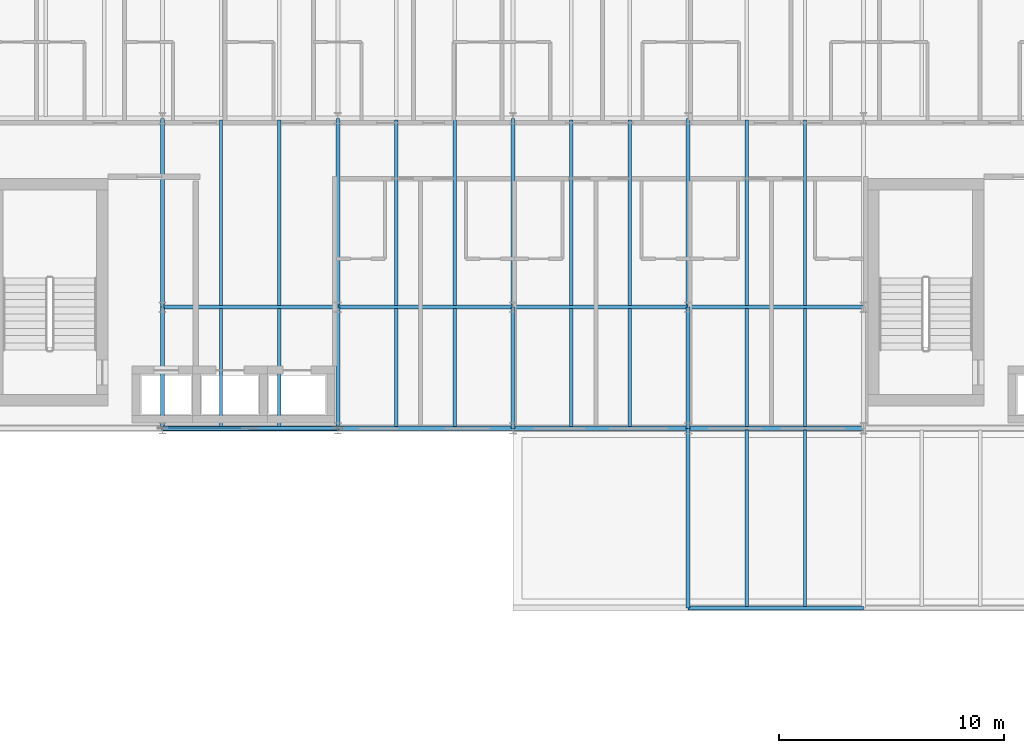
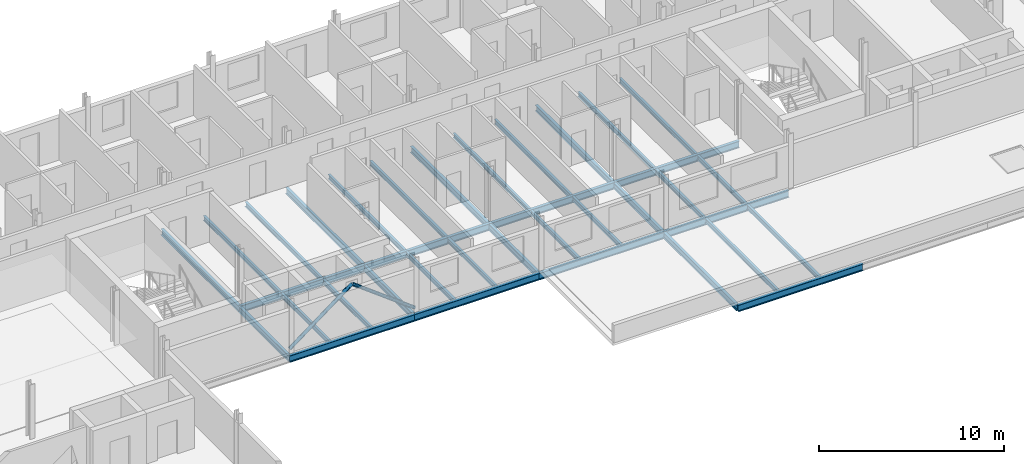
# One storey, part 10 of 36: 36 beams, 2 members.
"""IFC4 building model written with IfcOpenShell, lengths in metres."""

from ifc_helpers import new_model, si_unit, direction, frame, origin, origin_2d, place, context, subcontext, project, spatial, hollow_circle, i_section, extrude, material, material_profile, profile_set, type_object, element, save


model = new_model("IFC4")

# Units and contexts
model_context = context("Model", 3, precision=1e-05, world=origin(), true_north=direction((0.0, 1.0)))
body_context = subcontext(model_context, "Body", "Model", "MODEL_VIEW")
ifc_project = project(units=[si_unit("LENGTHUNIT", "METRE"), si_unit("AREAUNIT", "SQUARE_METRE"), si_unit("VOLUMEUNIT", "CUBIC_METRE"), si_unit("PLANEANGLEUNIT", "RADIAN"), si_unit("MASSUNIT", "GRAM", prefix="KILO")], contexts=[model_context])

# Site, building, storey
site_placement = place(None, origin())
site = spatial("IfcSite", under=ifc_project, at=site_placement, CompositionType="ELEMENT")
building_placement = place(site_placement, origin())
building = spatial("IfcBuilding", under=site, at=building_placement, Name="Sefraquen Railside Congress Hotel", CompositionType="ELEMENT")
storey_placement = place(building_placement, frame((0.0, 0.0, 24.60009765625)))
storey = spatial("IfcBuildingStorey", under=building, at=storey_placement, Name="L05", CompositionType="ELEMENT", Elevation=24.60009765625)

# Beams
ifc_material_1 = material(Name="Steel S355JR", Category="steel")
ifc_material_profile_1 = material_profile(ifc_material_1, i_section(OverallWidth=0.179931640625, OverallDepth=0.39990234375, WebThickness=0.008544921875, FlangeThickness=0.013427734375, FilletRadius=0.02099609375, at=origin_2d()), Name="IPE 400")
ifc_profile_set_1 = profile_set([ifc_material_profile_1], Name="Steel S355JR")
beam_type_1 = type_object("IfcBeamType", Name="TB-BM-400I", PredefinedType="BEAM", material=ifc_profile_set_1)
beam_1_placement = place(storey_placement, frame((33.0, 96.0, -0.460205078125), z_axis=(0.0, 1.0, 0.0), x_axis=(-1.0, 0.0, 0.0)))
element("IfcBeam", 1, at=beam_1_placement, inside=storey, type_object=beam_type_1, Name="Floor beam BM-L05-1526", PredefinedType="BEAM", context=body_context, shape_type="SweptSolid", body=[
    extrude(i_section(OverallWidth=0.179931640625, OverallDepth=0.39990234375, WebThickness=0.008544921875, FlangeThickness=0.013427734375, FilletRadius=0.02099609375, at=origin_2d()), origin(), (0.0, 0.0, 1.0), 5.39990234375),
])
beam_2_placement = place(storey_placement, frame((33.0, 101.39990234375, -0.460205078125), z_axis=(0.0, 1.0, 0.0), x_axis=(-1.0, 0.0, 0.0)))
element("IfcBeam", 2, at=beam_2_placement, inside=storey, type_object=beam_type_1, Name="Floor beam BM-L05-1527", PredefinedType="BEAM", context=body_context, shape_type="SweptSolid", body=[
    extrude(i_section(OverallWidth=0.179931640625, OverallDepth=0.39990234375, WebThickness=0.008544921875, FlangeThickness=0.013427734375, FilletRadius=0.02099609375, at=origin_2d()), origin(), (0.0, 0.0, 1.0), 8.400146484375),
])
beam_3_placement = place(storey_placement, frame((40.800048828125, 96.0, -0.460205078125), z_axis=(0.0, 1.0, 0.0), x_axis=(-1.0, 0.0, 0.0)))
element("IfcBeam", 3, at=beam_3_placement, inside=storey, type_object=beam_type_1, Name="Floor beam BM-L05-1529", PredefinedType="BEAM", context=body_context, shape_type="SweptSolid", body=[
    extrude(i_section(OverallWidth=0.179931640625, OverallDepth=0.39990234375, WebThickness=0.008544921875, FlangeThickness=0.013427734375, FilletRadius=0.02099609375, at=origin_2d()), origin(), (0.0, 0.0, 1.0), 5.39990234375),
])
beam_4_placement = place(storey_placement, frame((40.800048828125, 101.39990234375, -0.460205078125), z_axis=(0.0, 1.0, 0.0), x_axis=(-1.0, 0.0, 0.0)))
element("IfcBeam", 4, at=beam_4_placement, inside=storey, type_object=beam_type_1, Name="Floor beam BM-L05-1530", PredefinedType="BEAM", context=body_context, shape_type="SweptSolid", body=[
    extrude(i_section(OverallWidth=0.179931640625, OverallDepth=0.39990234375, WebThickness=0.008544921875, FlangeThickness=0.013427734375, FilletRadius=0.02099609375, at=origin_2d()), origin(), (0.0, 0.0, 1.0), 8.400146484375),
])
beam_5_placement = place(storey_placement, frame((48.60009765625, 96.0, -0.460205078125), z_axis=(0.0, 1.0, 0.0), x_axis=(-1.0, 0.0, 0.0)))
element("IfcBeam", 5, at=beam_5_placement, inside=storey, type_object=beam_type_1, Name="Floor beam BM-L05-1532", PredefinedType="BEAM", context=body_context, shape_type="SweptSolid", body=[
    extrude(i_section(OverallWidth=0.179931640625, OverallDepth=0.39990234375, WebThickness=0.008544921875, FlangeThickness=0.013427734375, FilletRadius=0.02099609375, at=origin_2d()), origin(), (0.0, 0.0, 1.0), 5.39990234375),
])
beam_6_placement = place(storey_placement, frame((48.60009765625, 101.39990234375, -0.460205078125), z_axis=(0.0, 1.0, 0.0), x_axis=(-1.0, 0.0, 0.0)))
element("IfcBeam", 6, at=beam_6_placement, inside=storey, type_object=beam_type_1, Name="Floor beam BM-L05-1533", PredefinedType="BEAM", context=body_context, shape_type="SweptSolid", body=[
    extrude(i_section(OverallWidth=0.179931640625, OverallDepth=0.39990234375, WebThickness=0.008544921875, FlangeThickness=0.013427734375, FilletRadius=0.02099609375, at=origin_2d()), origin(), (0.0, 0.0, 1.0), 8.400146484375),
])
beam_7_placement = place(storey_placement, frame((56.39990234375, 88.0, -0.460205078125), z_axis=(0.0, 1.0, 0.0), x_axis=(-1.0, 0.0, 0.0)))
element("IfcBeam", 7, at=beam_7_placement, inside=storey, type_object=beam_type_1, Name="Floor beam BM-L05-1535", PredefinedType="BEAM", context=body_context, shape_type="SweptSolid", body=[
    extrude(i_section(OverallWidth=0.179931640625, OverallDepth=0.39990234375, WebThickness=0.008544921875, FlangeThickness=0.013427734375, FilletRadius=0.02099609375, at=origin_2d()), origin(), (0.0, 0.0, 1.0), 8.0),
])
beam_8_placement = place(storey_placement, frame((56.39990234375, 96.0, -0.460205078125), z_axis=(0.0, 1.0, 0.0), x_axis=(-1.0, 0.0, 0.0)))
element("IfcBeam", 8, at=beam_8_placement, inside=storey, type_object=beam_type_1, Name="Floor beam BM-L05-1536", PredefinedType="BEAM", context=body_context, shape_type="SweptSolid", body=[
    extrude(i_section(OverallWidth=0.179931640625, OverallDepth=0.39990234375, WebThickness=0.008544921875, FlangeThickness=0.013427734375, FilletRadius=0.02099609375, at=origin_2d()), origin(), (0.0, 0.0, 1.0), 5.39990234375),
])
beam_9_placement = place(storey_placement, frame((56.39990234375, 101.39990234375, -0.460205078125), z_axis=(0.0, 1.0, 0.0), x_axis=(-1.0, 0.0, 0.0)))
element("IfcBeam", 9, at=beam_9_placement, inside=storey, type_object=beam_type_1, Name="Floor beam BM-L05-1537", PredefinedType="BEAM", context=body_context, shape_type="SweptSolid", body=[
    extrude(i_section(OverallWidth=0.179931640625, OverallDepth=0.39990234375, WebThickness=0.008544921875, FlangeThickness=0.013427734375, FilletRadius=0.02099609375, at=origin_2d()), origin(), (0.0, 0.0, 1.0), 8.400146484375),
])
ifc_material_profile_2 = material_profile(ifc_material_1, i_section(OverallWidth=0.18994140625, OverallDepth=0.449951171875, WebThickness=0.009521484375, FlangeThickness=0.0146484375, FilletRadius=0.02099609375, at=origin_2d()), Name="IPE 450")
ifc_profile_set_2 = profile_set([ifc_material_profile_2], Name="Steel S355JR")
beam_type_2 = type_object("IfcBeamType", Name="TB-BM-450", PredefinedType="BEAM", material=ifc_profile_set_2)
for number, where, z_axis, x_axis, name in (
    (10, (56.39990234375, 88.0, -0.485107421875), (1.0, 0.0, 0.0), (0.0, 1.0, 0.0), "Primary girder BM-L05-1442"),
    (11, (33.0, 96.0, -0.485107421875), (1.0, 0.0, 0.0), (0.0, 1.0, 0.0), "Primary girder BM-L05-1454"),
    (12, (40.800048828125, 96.0, -0.485107421875), (1.0, 0.0, 0.0), (0.0, 1.0, 0.0), "Primary girder BM-L05-1455"),
):
    element("IfcBeam", number, at=place(storey_placement, frame(where, z_axis=z_axis, x_axis=x_axis)), inside=storey, type_object=beam_type_2, Name=name, PredefinedType="BEAM", context=body_context, shape_type="SweptSolid", body=[
        extrude(i_section(OverallWidth=0.18994140625, OverallDepth=0.449951171875, WebThickness=0.009521484375, FlangeThickness=0.0146484375, FilletRadius=0.02099609375, at=origin_2d()), origin(), (0.0, 0.0, 1.0), 7.800048828125),
    ])
beam_10_placement = place(storey_placement, frame((48.60009765625, 96.0, -0.485107421875), z_axis=(1.0, 0.0, 0.0), x_axis=(0.0, 1.0, 0.0)))
element("IfcBeam", 13, at=beam_10_placement, inside=storey, type_object=beam_type_2, Name="Primary girder BM-L05-1456", PredefinedType="BEAM", context=body_context, shape_type="SweptSolid", body=[
    extrude(i_section(OverallWidth=0.18994140625, OverallDepth=0.449951171875, WebThickness=0.009521484375, FlangeThickness=0.0146484375, FilletRadius=0.02099609375, at=origin_2d()), origin(), (0.0, 0.0, 1.0), 7.7998046875),
])
for number, where, z_axis, x_axis, name in (
    (14, (56.39990234375, 96.0, -0.485107421875), (1.0, 0.0, 0.0), (0.0, 1.0, 0.0), "Primary girder BM-L05-1457"),
    (15, (33.0, 101.39990234375, -0.485107421875), (1.0, 0.0, 0.0), (0.0, 1.0, 0.0), "Primary girder BM-L05-1468"),
    (16, (40.800048828125, 101.39990234375, -0.485107421875), (1.0, 0.0, 0.0), (0.0, 1.0, 0.0), "Primary girder BM-L05-1469"),
):
    element("IfcBeam", number, at=place(storey_placement, frame(where, z_axis=z_axis, x_axis=x_axis)), inside=storey, type_object=beam_type_2, Name=name, PredefinedType="BEAM", context=body_context, shape_type="SweptSolid", body=[
        extrude(i_section(OverallWidth=0.18994140625, OverallDepth=0.449951171875, WebThickness=0.009521484375, FlangeThickness=0.0146484375, FilletRadius=0.02099609375, at=origin_2d()), origin(), (0.0, 0.0, 1.0), 7.800048828125),
    ])
beam_11_placement = place(storey_placement, frame((48.60009765625, 101.39990234375, -0.485107421875), z_axis=(1.0, 0.0, 0.0), x_axis=(0.0, 1.0, 0.0)))
element("IfcBeam", 17, at=beam_11_placement, inside=storey, type_object=beam_type_2, Name="Primary girder BM-L05-1470", PredefinedType="BEAM", context=body_context, shape_type="SweptSolid", body=[
    extrude(i_section(OverallWidth=0.18994140625, OverallDepth=0.449951171875, WebThickness=0.009521484375, FlangeThickness=0.0146484375, FilletRadius=0.02099609375, at=origin_2d()), origin(), (0.0, 0.0, 1.0), 7.7998046875),
])
beam_12_placement = place(storey_placement, frame((56.39990234375, 101.39990234375, -0.485107421875), z_axis=(1.0, 0.0, 0.0), x_axis=(0.0, 1.0, 0.0)))
element("IfcBeam", 18, at=beam_12_placement, inside=storey, type_object=beam_type_2, Name="Primary girder BM-L05-1471", PredefinedType="BEAM", context=body_context, shape_type="SweptSolid", body=[
    extrude(i_section(OverallWidth=0.18994140625, OverallDepth=0.449951171875, WebThickness=0.009521484375, FlangeThickness=0.0146484375, FilletRadius=0.02099609375, at=origin_2d()), origin(), (0.0, 0.0, 1.0), 7.800048828125),
])
ifc_material_profile_3 = material_profile(ifc_material_1, i_section(OverallWidth=0.14990234375, OverallDepth=0.300048828125, WebThickness=0.007080078125, FlangeThickness=0.0107421875, FilletRadius=0.014892578125, at=origin_2d()), Name="IPE 300")
ifc_profile_set_3 = profile_set([ifc_material_profile_3], Name="Steel S355JR")
beam_type_3 = type_object("IfcBeamType", Name="TB-JST-300", PredefinedType="JOIST", material=ifc_profile_set_3)
for number, where, z_axis, x_axis, name in (
    (19, (35.60009765625, 96.074951171875, -0.41015625), (0.0, 1.0, 0.0), (-1.0, 0.0, 0.0), "Composite floor joist BM-L05-J0966"),
    (20, (38.199951171875, 96.074951171875, -0.41015625), (0.0, 1.0, 0.0), (-1.0, 0.0, 0.0), "Composite floor joist BM-L05-J0967"),
):
    element("IfcBeam", number, at=place(storey_placement, frame(where, z_axis=z_axis, x_axis=x_axis)), inside=storey, type_object=beam_type_3, Name=name, PredefinedType="JOIST", context=body_context, shape_type="SweptSolid", body=[
        extrude(i_section(OverallWidth=0.14990234375, OverallDepth=0.300048828125, WebThickness=0.007080078125, FlangeThickness=0.0107421875, FilletRadius=0.014892578125, at=origin_2d()), origin(), (0.0, 0.0, 1.0), 5.25),
    ])
for number, where, z_axis, x_axis, name in (
    (21, (35.60009765625, 101.47509765625, -0.41015625), (0.0, 1.0, 0.0), (-1.0, 0.0, 0.0), "Composite floor joist BM-L05-J0968"),
    (22, (38.199951171875, 101.47509765625, -0.41015625), (0.0, 1.0, 0.0), (-1.0, 0.0, 0.0), "Composite floor joist BM-L05-J0969"),
):
    element("IfcBeam", number, at=place(storey_placement, frame(where, z_axis=z_axis, x_axis=x_axis)), inside=storey, type_object=beam_type_3, Name=name, PredefinedType="JOIST", context=body_context, shape_type="SweptSolid", body=[
        extrude(i_section(OverallWidth=0.14990234375, OverallDepth=0.300048828125, WebThickness=0.007080078125, FlangeThickness=0.0107421875, FilletRadius=0.014892578125, at=origin_2d()), origin(), (0.0, 0.0, 1.0), 8.25),
    ])
for number, where, z_axis, x_axis, name in (
    (23, (43.39990234375, 96.074951171875, -0.41015625), (0.0, 1.0, 0.0), (-1.0, 0.0, 0.0), "Composite floor joist BM-L05-J0972"),
    (24, (46.0, 96.074951171875, -0.41015625), (0.0, 1.0, 0.0), (-1.0, 0.0, 0.0), "Composite floor joist BM-L05-J0973"),
):
    element("IfcBeam", number, at=place(storey_placement, frame(where, z_axis=z_axis, x_axis=x_axis)), inside=storey, type_object=beam_type_3, Name=name, PredefinedType="JOIST", context=body_context, shape_type="SweptSolid", body=[
        extrude(i_section(OverallWidth=0.14990234375, OverallDepth=0.300048828125, WebThickness=0.007080078125, FlangeThickness=0.0107421875, FilletRadius=0.014892578125, at=origin_2d()), origin(), (0.0, 0.0, 1.0), 5.25),
    ])
for number, where, z_axis, x_axis, name in (
    (25, (43.39990234375, 101.47509765625, -0.41015625), (0.0, 1.0, 0.0), (-1.0, 0.0, 0.0), "Composite floor joist BM-L05-J0974"),
    (26, (46.0, 101.47509765625, -0.41015625), (0.0, 1.0, 0.0), (-1.0, 0.0, 0.0), "Composite floor joist BM-L05-J0975"),
):
    element("IfcBeam", number, at=place(storey_placement, frame(where, z_axis=z_axis, x_axis=x_axis)), inside=storey, type_object=beam_type_3, Name=name, PredefinedType="JOIST", context=body_context, shape_type="SweptSolid", body=[
        extrude(i_section(OverallWidth=0.14990234375, OverallDepth=0.300048828125, WebThickness=0.007080078125, FlangeThickness=0.0107421875, FilletRadius=0.014892578125, at=origin_2d()), origin(), (0.0, 0.0, 1.0), 8.25),
    ])
for number, where, z_axis, x_axis, name in (
    (27, (51.199951171875, 96.074951171875, -0.41015625), (0.0, 1.0, 0.0), (-1.0, 0.0, 0.0), "Composite floor joist BM-L05-J0978"),
    (28, (53.800048828125, 96.074951171875, -0.41015625), (0.0, 1.0, 0.0), (-1.0, 0.0, 0.0), "Composite floor joist BM-L05-J0979"),
):
    element("IfcBeam", number, at=place(storey_placement, frame(where, z_axis=z_axis, x_axis=x_axis)), inside=storey, type_object=beam_type_3, Name=name, PredefinedType="JOIST", context=body_context, shape_type="SweptSolid", body=[
        extrude(i_section(OverallWidth=0.14990234375, OverallDepth=0.300048828125, WebThickness=0.007080078125, FlangeThickness=0.0107421875, FilletRadius=0.014892578125, at=origin_2d()), origin(), (0.0, 0.0, 1.0), 5.25),
    ])
for number, where, z_axis, x_axis, name in (
    (29, (51.199951171875, 101.47509765625, -0.41015625), (0.0, 1.0, 0.0), (-1.0, 0.0, 0.0), "Composite floor joist BM-L05-J0980"),
    (30, (53.800048828125, 101.47509765625, -0.41015625), (0.0, 1.0, 0.0), (-1.0, 0.0, 0.0), "Composite floor joist BM-L05-J0981"),
):
    element("IfcBeam", number, at=place(storey_placement, frame(where, z_axis=z_axis, x_axis=x_axis)), inside=storey, type_object=beam_type_3, Name=name, PredefinedType="JOIST", context=body_context, shape_type="SweptSolid", body=[
        extrude(i_section(OverallWidth=0.14990234375, OverallDepth=0.300048828125, WebThickness=0.007080078125, FlangeThickness=0.0107421875, FilletRadius=0.014892578125, at=origin_2d()), origin(), (0.0, 0.0, 1.0), 8.25),
    ])
for number, where, z_axis, x_axis, name in (
    (31, (59.0, 88.074951171875, -0.41015625), (0.0, 1.0, 0.0), (-1.0, 0.0, 0.0), "Composite floor joist BM-L05-J0984"),
    (32, (61.60009765625, 88.074951171875, -0.41015625), (0.0, 1.0, 0.0), (-1.0, 0.0, 0.0), "Composite floor joist BM-L05-J0985"),
):
    element("IfcBeam", number, at=place(storey_placement, frame(where, z_axis=z_axis, x_axis=x_axis)), inside=storey, type_object=beam_type_3, Name=name, PredefinedType="JOIST", context=body_context, shape_type="SweptSolid", body=[
        extrude(i_section(OverallWidth=0.14990234375, OverallDepth=0.300048828125, WebThickness=0.007080078125, FlangeThickness=0.0107421875, FilletRadius=0.014892578125, at=origin_2d()), origin(), (0.0, 0.0, 1.0), 7.85009765625),
    ])
for number, where, z_axis, x_axis, name in (
    (33, (59.0, 96.074951171875, -0.41015625), (0.0, 1.0, 0.0), (-1.0, 0.0, 0.0), "Composite floor joist BM-L05-J0986"),
    (34, (61.60009765625, 96.074951171875, -0.41015625), (0.0, 1.0, 0.0), (-1.0, 0.0, 0.0), "Composite floor joist BM-L05-J0987"),
):
    element("IfcBeam", number, at=place(storey_placement, frame(where, z_axis=z_axis, x_axis=x_axis)), inside=storey, type_object=beam_type_3, Name=name, PredefinedType="JOIST", context=body_context, shape_type="SweptSolid", body=[
        extrude(i_section(OverallWidth=0.14990234375, OverallDepth=0.300048828125, WebThickness=0.007080078125, FlangeThickness=0.0107421875, FilletRadius=0.014892578125, at=origin_2d()), origin(), (0.0, 0.0, 1.0), 5.25),
    ])
for number, where, z_axis, x_axis, name in (
    (35, (59.0, 101.47509765625, -0.41015625), (0.0, 1.0, 0.0), (-1.0, 0.0, 0.0), "Composite floor joist BM-L05-J0988"),
    (36, (61.60009765625, 101.47509765625, -0.41015625), (0.0, 1.0, 0.0), (-1.0, 0.0, 0.0), "Composite floor joist BM-L05-J0989"),
):
    element("IfcBeam", number, at=place(storey_placement, frame(where, z_axis=z_axis, x_axis=x_axis)), inside=storey, type_object=beam_type_3, Name=name, PredefinedType="JOIST", context=body_context, shape_type="SweptSolid", body=[
        extrude(i_section(OverallWidth=0.14990234375, OverallDepth=0.300048828125, WebThickness=0.007080078125, FlangeThickness=0.0107421875, FilletRadius=0.014892578125, at=origin_2d()), origin(), (0.0, 0.0, 1.0), 8.25),
    ])

# Members
ifc_material_2 = material(Name="Steel S355J2", Category="steel")
ifc_material_profile_4 = material_profile(ifc_material_2, hollow_circle(Radius=0.109619140625, WallThickness=0.010009765625, at=origin_2d()), Name="CHS 219.1x10")
ifc_profile_set_4 = profile_set([ifc_material_profile_4], Name="Steel S355J2")
member_type = type_object("IfcMemberType", Name="TM-BR-219", PredefinedType="BRACE", material=ifc_profile_set_4)
member_1_placement = place(storey_placement, frame((33.0, 96.0, 0.14990234375), z_axis=(0.798521909547, 0.0, 0.601965746511), x_axis=(0.0, 1.0, 0.0)))
element("IfcMember", 37, at=member_1_placement, inside=storey, type_object=member_type, Name="Chevron braced-frame diagonal BF1-L L05", PredefinedType="BRACE", context=body_context, shape_type="SweptSolid", body=[
    extrude(hollow_circle(Radius=0.109619140625, WallThickness=0.010009765625, at=origin_2d()), origin(), (0.0, 0.0, 1.0), 4.8837890625),
])
member_2_placement = place(storey_placement, frame((40.800048828125, 96.0, 0.14990234375), z_axis=(-0.798540022561, 0.0, 0.601941718415), x_axis=(0.0, -1.0, 0.0)))
element("IfcMember", 38, at=member_2_placement, inside=storey, type_object=member_type, Name="Chevron braced-frame diagonal BF1-R L05", PredefinedType="BRACE", context=body_context, shape_type="SweptSolid", body=[
    extrude(hollow_circle(Radius=0.109619140625, WallThickness=0.010009765625, at=origin_2d()), origin(), (0.0, 0.0, 1.0), 4.884033203125),
])

save(model, "model.ifc")
